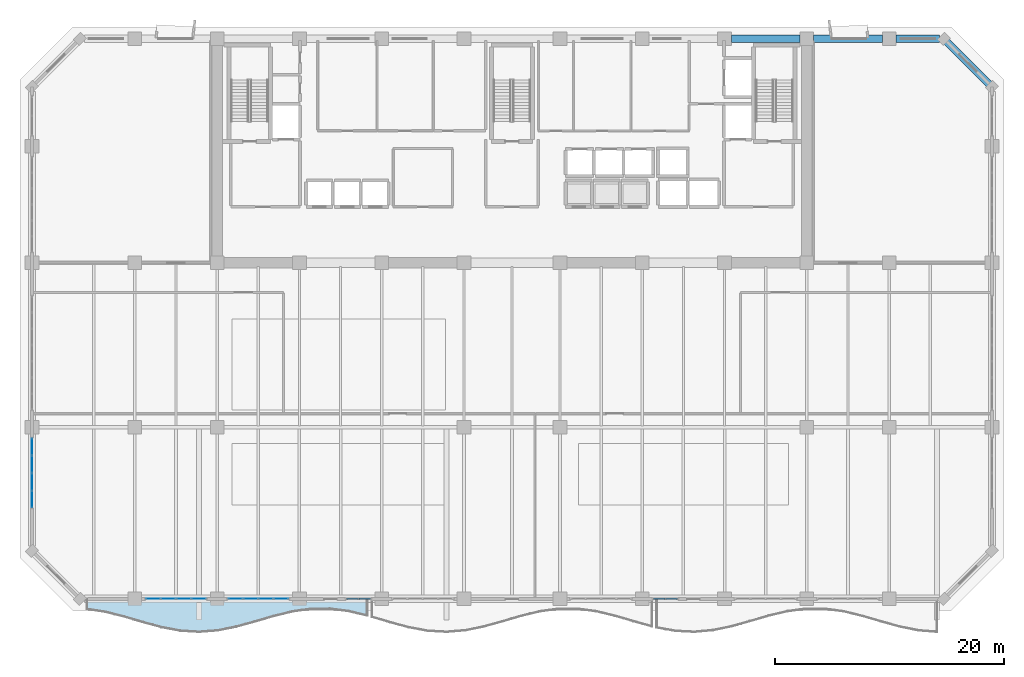
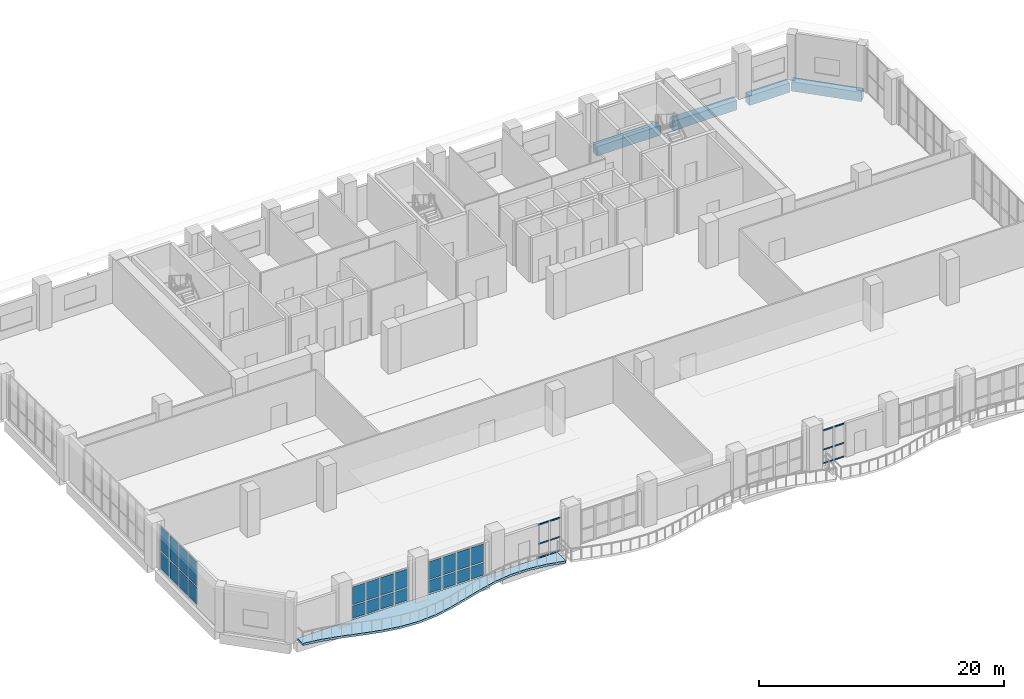
# One storey, part 24 of 37: 24 plates, 12 members, 4 beams, 1 slab, 5 elements without a shape of their own.
"""IFC4 building model written with IfcOpenShell, lengths in metres."""

from ifc_helpers import new_model, si_unit, direction, frame, origin, origin_2d, place, context, subcontext, project, spatial, polyline, rectangle, hollow_rectangle, outline, extrude, material, layer, layer_set, material_profile, profile_set, type_object, element, aggregate, save


model = new_model("IFC4")

# Units and contexts
model_context = context("Model", 3, precision=1e-05, world=origin(), true_north=direction((0.0, 1.0)))
body_context = subcontext(model_context, "Body", "Model", "MODEL_VIEW")
ifc_project = project(units=[si_unit("LENGTHUNIT", "METRE"), si_unit("AREAUNIT", "SQUARE_METRE"), si_unit("VOLUMEUNIT", "CUBIC_METRE"), si_unit("PLANEANGLEUNIT", "RADIAN"), si_unit("MASSUNIT", "GRAM", prefix="KILO")], contexts=[model_context])

# Site, building, storey
site_placement = place(None, origin())
site = spatial("IfcSite", under=ifc_project, at=site_placement, CompositionType="ELEMENT")
building_placement = place(site_placement, origin())
building = spatial("IfcBuilding", under=site, at=building_placement, Name="Kaelvorn Grand Hotel", CompositionType="ELEMENT")
storey_placement = place(building_placement, frame((0.0, 0.0, 130.550048828125)))
storey = spatial("IfcBuildingStorey", under=building, at=storey_placement, Name="L31", CompositionType="ELEMENT", Elevation=130.550048828125)

# Beams
ifc_material_1 = material(Name="Concrete C60/75", Category="concrete")
ifc_material_profile_1 = material_profile(ifc_material_1, rectangle(XDim=0.64990234375, YDim=0.949951171875, at=origin_2d()), Name="RC SPANDREL 650x950")
ifc_profile_set_1 = profile_set([ifc_material_profile_1], Name="Concrete C60/75")
beam_type = type_object("IfcBeamType", Name="BM-SP-650x950-C60", PredefinedType="SPANDREL", material=ifc_profile_set_1)
for number, where, z_axis, x_axis, name in (
    (1, (61.18505859375, 49.0, -0.715087890625), (1.0, 0.0, 0.0), (0.0, 1.0, 0.0), "L31 North Perimeter Spandrel 09"),
    (2, (68.385009765625, 49.0, -0.715087890625), (1.0, 0.0, 0.0), (0.0, 1.0, 0.0), "L31 North Perimeter Spandrel 10"),
):
    element("IfcBeam", number, at=place(storey_placement, frame(where, z_axis=z_axis, x_axis=x_axis)), inside=storey, type_object=beam_type, Name=name, PredefinedType="SPANDREL", context=body_context, shape_type="SweptSolid", body=[
        extrude(rectangle(XDim=0.64990234375, YDim=0.949951171875, at=origin_2d()), origin(), (0.0, 0.0, 1.0), 6.030029296875),
    ])
beam_1_placement = place(storey_placement, frame((75.5849609375, 49.0, -0.715087890625), z_axis=(1.0, 0.0, 0.0), x_axis=(0.0, 1.0, 0.0)))
element("IfcBeam", 3, at=beam_1_placement, inside=storey, type_object=beam_type, Name="L31 North Perimeter Spandrel 11", PredefinedType="SPANDREL", context=body_context, shape_type="SweptSolid", body=[
    extrude(rectangle(XDim=0.64990234375, YDim=0.949951171875, at=origin_2d()), origin(), (0.0, 0.0, 1.0), 3.81005859375),
])
beam_2_placement = place(storey_placement, frame((84.0, 44.800048828125, -0.715087890625), z_axis=(-0.707106781187, 0.707106781187, 0.0), x_axis=(-0.707106781187, -0.707106781187, 0.0)))
element("IfcBeam", 4, at=beam_2_placement, inside=storey, type_object=beam_type, Name="L31 Chamfer Spandrel Beam 2", PredefinedType="SPANDREL", context=body_context, shape_type="SweptSolid", body=[
    extrude(rectangle(XDim=0.64990234375, YDim=0.949951171875, at=origin_2d()), origin(), (0.0, 0.0, 1.0), 5.939697265625),
])

# Curtain wall, members
ifc_material_2 = material(Name="Anodised Aluminium", Category="aluminium")
ifc_layer_1 = layer(ifc_material_2, 0.199951171875)
ifc_layer_set_1 = layer_set([ifc_layer_1], Name="Anodised Aluminium")
curtain_wall_type = type_object("IfcCurtainWallType", Name="CW-SYS3", PredefinedType="NOTDEFINED", material=ifc_layer_set_1)
curtain_wall_1_placement = place(storey_placement, origin())
curtain_wall_1 = element("IfcCurtainWall", 5, at=curtain_wall_1_placement, inside=storey, type_object=curtain_wall_type, Name="L31 Unitised Curtain Wall CW3 (CW-L31-SB2-01)", PredefinedType="NOTDEFINED")
ifc_material_profile_2 = material_profile(ifc_material_2, hollow_rectangle(XDim=0.070068359375, YDim=0.135009765625, WallThickness=0.00341796875, InnerFilletRadius=0.00341796875, OuterFilletRadius=0.007080078125, at=origin_2d()), Name="ALU TRAN 70x135")
ifc_profile_set_2 = profile_set([ifc_material_profile_2], Name="Anodised Aluminium")
member_type = type_object("IfcMemberType", Name="CW-SYS3-TRAN", PredefinedType="NOTDEFINED", material=ifc_profile_set_2)
member_1_placement = place(storey_placement, frame((27.558349609375, 0.0, 0.0673828125), z_axis=(1.0, 0.0, 0.0), x_axis=(0.0, 1.0, 0.0)))
member_1 = element("IfcMember", 6, at=member_1_placement, type_object=member_type, Name="CW3 transom 1.1", ObjectType="TRANSOM", PredefinedType="USERDEFINED", context=body_context, shape_type="SweptSolid", body=[
    extrude(hollow_rectangle(XDim=0.070068359375, YDim=0.135009765625, WallThickness=0.00341796875, InnerFilletRadius=0.00341796875, OuterFilletRadius=0.007080078125, at=origin_2d()), origin(), (0.0, 0.0, 1.0), 0.98583984375),
])
member_2_placement = place(storey_placement, frame((27.558349609375, 0.0, 1.427978515625), z_axis=(1.0, 0.0, 0.0), x_axis=(0.0, 1.0, 0.0)))
member_2 = element("IfcMember", 7, at=member_2_placement, type_object=member_type, Name="CW3 transom 1.2", ObjectType="TRANSOM", PredefinedType="USERDEFINED", context=body_context, shape_type="SweptSolid", body=[
    extrude(hollow_rectangle(XDim=0.070068359375, YDim=0.135009765625, WallThickness=0.00341796875, InnerFilletRadius=0.00341796875, OuterFilletRadius=0.007080078125, at=origin_2d()), origin(), (0.0, 0.0, 1.0), 0.98583984375),
])
member_3_placement = place(storey_placement, frame((27.558349609375, 0.0, 3.33251953125), z_axis=(1.0, 0.0, 0.0), x_axis=(0.0, 1.0, 0.0)))
member_3 = element("IfcMember", 8, at=member_3_placement, type_object=member_type, Name="CW3 transom 1.3", ObjectType="TRANSOM", PredefinedType="USERDEFINED", context=body_context, shape_type="SweptSolid", body=[
    extrude(hollow_rectangle(XDim=0.070068359375, YDim=0.135009765625, WallThickness=0.00341796875, InnerFilletRadius=0.00341796875, OuterFilletRadius=0.007080078125, at=origin_2d()), origin(), (0.0, 0.0, 1.0), 0.98583984375),
])
member_4_placement = place(storey_placement, frame((28.619140625, 0.0, 0.0673828125), z_axis=(1.0, 0.0, 0.0), x_axis=(0.0, 1.0, 0.0)))
member_4 = element("IfcMember", 9, at=member_4_placement, type_object=member_type, Name="CW3 transom 2.1", ObjectType="TRANSOM", PredefinedType="USERDEFINED", context=body_context, shape_type="SweptSolid", body=[
    extrude(hollow_rectangle(XDim=0.070068359375, YDim=0.135009765625, WallThickness=0.00341796875, InnerFilletRadius=0.00341796875, OuterFilletRadius=0.007080078125, at=origin_2d()), origin(), (0.0, 0.0, 1.0), 0.98583984375),
])
member_5_placement = place(storey_placement, frame((28.619140625, 0.0, 1.427978515625), z_axis=(1.0, 0.0, 0.0), x_axis=(0.0, 1.0, 0.0)))
member_5 = element("IfcMember", 10, at=member_5_placement, type_object=member_type, Name="CW3 transom 2.2", ObjectType="TRANSOM", PredefinedType="USERDEFINED", context=body_context, shape_type="SweptSolid", body=[
    extrude(hollow_rectangle(XDim=0.070068359375, YDim=0.135009765625, WallThickness=0.00341796875, InnerFilletRadius=0.00341796875, OuterFilletRadius=0.007080078125, at=origin_2d()), origin(), (0.0, 0.0, 1.0), 0.98583984375),
])
member_6_placement = place(storey_placement, frame((28.619140625, 0.0, 3.33251953125), z_axis=(1.0, 0.0, 0.0), x_axis=(0.0, 1.0, 0.0)))
member_6 = element("IfcMember", 11, at=member_6_placement, type_object=member_type, Name="CW3 transom 2.3", ObjectType="TRANSOM", PredefinedType="USERDEFINED", context=body_context, shape_type="SweptSolid", body=[
    extrude(hollow_rectangle(XDim=0.070068359375, YDim=0.135009765625, WallThickness=0.00341796875, InnerFilletRadius=0.00341796875, OuterFilletRadius=0.007080078125, at=origin_2d()), origin(), (0.0, 0.0, 1.0), 0.98583984375),
])
aggregate(curtain_wall_1, [member_1, member_2, member_3, member_4, member_5, member_6])

curtain_wall_2_placement = place(storey_placement, origin())
curtain_wall_2 = element("IfcCurtainWall", 12, at=curtain_wall_2_placement, inside=storey, type_object=curtain_wall_type, Name="L31 Unitised Curtain Wall CW3 (CW-L31-SB3-02)", PredefinedType="NOTDEFINED")
member_7_placement = place(storey_placement, frame((54.39501953125, 0.0, 0.0673828125), z_axis=(1.0, 0.0, 0.0), x_axis=(0.0, 1.0, 0.0)))
member_7 = element("IfcMember", 13, at=member_7_placement, type_object=member_type, Name="CW3 transom 1.1", ObjectType="TRANSOM", PredefinedType="USERDEFINED", context=body_context, shape_type="SweptSolid", body=[
    extrude(hollow_rectangle(XDim=0.070068359375, YDim=0.135009765625, WallThickness=0.00341796875, InnerFilletRadius=0.00341796875, OuterFilletRadius=0.007080078125, at=origin_2d()), origin(), (0.0, 0.0, 1.0), 0.98583984375),
])
member_8_placement = place(storey_placement, frame((54.39501953125, 0.0, 1.427978515625), z_axis=(1.0, 0.0, 0.0), x_axis=(0.0, 1.0, 0.0)))
member_8 = element("IfcMember", 14, at=member_8_placement, type_object=member_type, Name="CW3 transom 1.2", ObjectType="TRANSOM", PredefinedType="USERDEFINED", context=body_context, shape_type="SweptSolid", body=[
    extrude(hollow_rectangle(XDim=0.070068359375, YDim=0.135009765625, WallThickness=0.00341796875, InnerFilletRadius=0.00341796875, OuterFilletRadius=0.007080078125, at=origin_2d()), origin(), (0.0, 0.0, 1.0), 0.98583984375),
])
member_9_placement = place(storey_placement, frame((54.39501953125, 0.0, 3.33251953125), z_axis=(1.0, 0.0, 0.0), x_axis=(0.0, 1.0, 0.0)))
member_9 = element("IfcMember", 15, at=member_9_placement, type_object=member_type, Name="CW3 transom 1.3", ObjectType="TRANSOM", PredefinedType="USERDEFINED", context=body_context, shape_type="SweptSolid", body=[
    extrude(hollow_rectangle(XDim=0.070068359375, YDim=0.135009765625, WallThickness=0.00341796875, InnerFilletRadius=0.00341796875, OuterFilletRadius=0.007080078125, at=origin_2d()), origin(), (0.0, 0.0, 1.0), 0.98583984375),
])
member_10_placement = place(storey_placement, frame((55.455810546875, 0.0, 0.0673828125), z_axis=(1.0, 0.0, 0.0), x_axis=(0.0, 1.0, 0.0)))
member_10 = element("IfcMember", 16, at=member_10_placement, type_object=member_type, Name="CW3 transom 2.1", ObjectType="TRANSOM", PredefinedType="USERDEFINED", context=body_context, shape_type="SweptSolid", body=[
    extrude(hollow_rectangle(XDim=0.070068359375, YDim=0.135009765625, WallThickness=0.00341796875, InnerFilletRadius=0.00341796875, OuterFilletRadius=0.007080078125, at=origin_2d()), origin(), (0.0, 0.0, 1.0), 0.98583984375),
])
member_11_placement = place(storey_placement, frame((55.455810546875, 0.0, 1.427978515625), z_axis=(1.0, 0.0, 0.0), x_axis=(0.0, 1.0, 0.0)))
member_11 = element("IfcMember", 17, at=member_11_placement, type_object=member_type, Name="CW3 transom 2.2", ObjectType="TRANSOM", PredefinedType="USERDEFINED", context=body_context, shape_type="SweptSolid", body=[
    extrude(hollow_rectangle(XDim=0.070068359375, YDim=0.135009765625, WallThickness=0.00341796875, InnerFilletRadius=0.00341796875, OuterFilletRadius=0.007080078125, at=origin_2d()), origin(), (0.0, 0.0, 1.0), 0.98583984375),
])
member_12_placement = place(storey_placement, frame((55.455810546875, 0.0, 3.33251953125), z_axis=(1.0, 0.0, 0.0), x_axis=(0.0, 1.0, 0.0)))
member_12 = element("IfcMember", 18, at=member_12_placement, type_object=member_type, Name="CW3 transom 2.3", ObjectType="TRANSOM", PredefinedType="USERDEFINED", context=body_context, shape_type="SweptSolid", body=[
    extrude(hollow_rectangle(XDim=0.070068359375, YDim=0.135009765625, WallThickness=0.00341796875, InnerFilletRadius=0.00341796875, OuterFilletRadius=0.007080078125, at=origin_2d()), origin(), (0.0, 0.0, 1.0), 0.98583984375),
])
aggregate(curtain_wall_2, [member_7, member_8, member_9, member_10, member_11, member_12])

# Curtain wall, plates
curtain_wall_3_placement = place(storey_placement, origin())
curtain_wall_3 = element("IfcCurtainWall", 19, at=curtain_wall_3_placement, inside=storey, type_object=curtain_wall_type, Name="L31 Unitised Curtain Wall CW3 (CW-L31-SB1-01)", PredefinedType="NOTDEFINED")
ifc_material_3 = material(Name="Laminated Low-E Glass", Category="glass")
ifc_layer_2 = layer(ifc_material_3, 0.030029296875)
ifc_layer_set_2 = layer_set([ifc_layer_2], Name="Laminated Low-E Glass")
plate_type = type_object("IfcPlateType", Name="CW-SYS3-PAN", PredefinedType="CURTAIN_PANEL", material=ifc_layer_set_2)
plate_1_placement = place(storey_placement, frame((10.608642578125, 0.0, 0.135009765625), z_axis=(0.0, 0.0, 1.0), x_axis=(1.0, 0.0, 0.0)))
plate_1 = element("IfcPlate", 20, at=plate_1_placement, type_object=plate_type, Name="CW3 panel 1.1", PredefinedType="CURTAIN_PANEL", context=body_context, shape_type="SweptSolid", body=[
    extrude(rectangle(XDim=1.2275390625, YDim=0.030029296875, at=origin_2d()), origin(), (0.0, 0.0, 1.0), 1.2255859375),
])
plate_2_placement = place(storey_placement, frame((10.608642578125, 0.0, 1.495361328125), z_axis=(0.0, 0.0, 1.0), x_axis=(1.0, 0.0, 0.0)))
plate_2 = element("IfcPlate", 21, at=plate_2_placement, type_object=plate_type, Name="CW3 panel 1.2", PredefinedType="CURTAIN_PANEL", context=body_context, shape_type="SweptSolid", body=[
    extrude(rectangle(XDim=1.2275390625, YDim=0.030029296875, at=origin_2d()), origin(), (0.0, 0.0, 1.0), 1.76953125),
])
plate_3_placement = place(storey_placement, frame((11.929931640625, 0.0, 0.135009765625), z_axis=(0.0, 0.0, 1.0), x_axis=(1.0, 0.0, 0.0)))
plate_3 = element("IfcPlate", 22, at=plate_3_placement, type_object=plate_type, Name="CW3 panel 2.1", PredefinedType="CURTAIN_PANEL", context=body_context, shape_type="SweptSolid", body=[
    extrude(rectangle(XDim=1.264892578125, YDim=0.030029296875, at=origin_2d()), origin(), (0.0, 0.0, 1.0), 1.2255859375),
])
plate_4_placement = place(storey_placement, frame((11.929931640625, 0.0, 1.495361328125), z_axis=(0.0, 0.0, 1.0), x_axis=(1.0, 0.0, 0.0)))
plate_4 = element("IfcPlate", 23, at=plate_4_placement, type_object=plate_type, Name="CW3 panel 2.2", PredefinedType="CURTAIN_PANEL", context=body_context, shape_type="SweptSolid", body=[
    extrude(rectangle(XDim=1.264892578125, YDim=0.030029296875, at=origin_2d()), origin(), (0.0, 0.0, 1.0), 1.76953125),
])
plate_5_placement = place(storey_placement, frame((13.27001953125, 0.0, 0.135009765625), z_axis=(0.0, 0.0, 1.0), x_axis=(1.0, 0.0, 0.0)))
plate_5 = element("IfcPlate", 24, at=plate_5_placement, type_object=plate_type, Name="CW3 panel 3.1", PredefinedType="CURTAIN_PANEL", context=body_context, shape_type="SweptSolid", body=[
    extrude(rectangle(XDim=1.264892578125, YDim=0.030029296875, at=origin_2d()), origin(), (0.0, 0.0, 1.0), 1.2255859375),
])
plate_6_placement = place(storey_placement, frame((13.27001953125, 0.0, 1.495361328125), z_axis=(0.0, 0.0, 1.0), x_axis=(1.0, 0.0, 0.0)))
plate_6 = element("IfcPlate", 25, at=plate_6_placement, type_object=plate_type, Name="CW3 panel 3.2", PredefinedType="CURTAIN_PANEL", context=body_context, shape_type="SweptSolid", body=[
    extrude(rectangle(XDim=1.264892578125, YDim=0.030029296875, at=origin_2d()), origin(), (0.0, 0.0, 1.0), 1.76953125),
])
plate_7_placement = place(storey_placement, frame((14.59130859375, 0.0, 0.135009765625), z_axis=(0.0, 0.0, 1.0), x_axis=(1.0, 0.0, 0.0)))
plate_7 = element("IfcPlate", 26, at=plate_7_placement, type_object=plate_type, Name="CW3 panel 4.1", PredefinedType="CURTAIN_PANEL", context=body_context, shape_type="SweptSolid", body=[
    extrude(rectangle(XDim=1.2275390625, YDim=0.030029296875, at=origin_2d()), origin(), (0.0, 0.0, 1.0), 1.2255859375),
])
plate_8_placement = place(storey_placement, frame((14.59130859375, 0.0, 1.495361328125), z_axis=(0.0, 0.0, 1.0), x_axis=(1.0, 0.0, 0.0)))
plate_8 = element("IfcPlate", 27, at=plate_8_placement, type_object=plate_type, Name="CW3 panel 4.2", PredefinedType="CURTAIN_PANEL", context=body_context, shape_type="SweptSolid", body=[
    extrude(rectangle(XDim=1.2275390625, YDim=0.030029296875, at=origin_2d()), origin(), (0.0, 0.0, 1.0), 1.76953125),
])
aggregate(curtain_wall_3, [plate_1, plate_2, plate_3, plate_4, plate_5, plate_6, plate_7, plate_8])

curtain_wall_4_placement = place(storey_placement, origin())
curtain_wall_4 = element("IfcCurtainWall", 28, at=curtain_wall_4_placement, inside=storey, type_object=curtain_wall_type, Name="L31 Unitised Curtain Wall CW3 (CW-L31-SB1-02)", PredefinedType="NOTDEFINED")
plate_9_placement = place(storey_placement, frame((17.808837890625, 0.0, 0.135009765625), z_axis=(0.0, 0.0, 1.0), x_axis=(1.0, 0.0, 0.0)))
plate_9 = element("IfcPlate", 29, at=plate_9_placement, type_object=plate_type, Name="CW3 panel 1.1", PredefinedType="CURTAIN_PANEL", context=body_context, shape_type="SweptSolid", body=[
    extrude(rectangle(XDim=1.2275390625, YDim=0.030029296875, at=origin_2d()), origin(), (0.0, 0.0, 1.0), 1.2255859375),
])
plate_10_placement = place(storey_placement, frame((17.808837890625, 0.0, 1.495361328125), z_axis=(0.0, 0.0, 1.0), x_axis=(1.0, 0.0, 0.0)))
plate_10 = element("IfcPlate", 30, at=plate_10_placement, type_object=plate_type, Name="CW3 panel 1.2", PredefinedType="CURTAIN_PANEL", context=body_context, shape_type="SweptSolid", body=[
    extrude(rectangle(XDim=1.2275390625, YDim=0.030029296875, at=origin_2d()), origin(), (0.0, 0.0, 1.0), 1.76953125),
])
plate_11_placement = place(storey_placement, frame((19.1298828125, 0.0, 0.135009765625), z_axis=(0.0, 0.0, 1.0), x_axis=(1.0, 0.0, 0.0)))
plate_11 = element("IfcPlate", 31, at=plate_11_placement, type_object=plate_type, Name="CW3 panel 2.1", PredefinedType="CURTAIN_PANEL", context=body_context, shape_type="SweptSolid", body=[
    extrude(rectangle(XDim=1.264892578125, YDim=0.030029296875, at=origin_2d()), origin(), (0.0, 0.0, 1.0), 1.2255859375),
])
plate_12_placement = place(storey_placement, frame((19.1298828125, 0.0, 1.495361328125), z_axis=(0.0, 0.0, 1.0), x_axis=(1.0, 0.0, 0.0)))
plate_12 = element("IfcPlate", 32, at=plate_12_placement, type_object=plate_type, Name="CW3 panel 2.2", PredefinedType="CURTAIN_PANEL", context=body_context, shape_type="SweptSolid", body=[
    extrude(rectangle(XDim=1.264892578125, YDim=0.030029296875, at=origin_2d()), origin(), (0.0, 0.0, 1.0), 1.76953125),
])
plate_13_placement = place(storey_placement, frame((20.469970703125, 0.0, 0.135009765625), z_axis=(0.0, 0.0, 1.0), x_axis=(1.0, 0.0, 0.0)))
plate_13 = element("IfcPlate", 33, at=plate_13_placement, type_object=plate_type, Name="CW3 panel 3.1", PredefinedType="CURTAIN_PANEL", context=body_context, shape_type="SweptSolid", body=[
    extrude(rectangle(XDim=1.264892578125, YDim=0.030029296875, at=origin_2d()), origin(), (0.0, 0.0, 1.0), 1.2255859375),
])
plate_14_placement = place(storey_placement, frame((20.469970703125, 0.0, 1.495361328125), z_axis=(0.0, 0.0, 1.0), x_axis=(1.0, 0.0, 0.0)))
plate_14 = element("IfcPlate", 34, at=plate_14_placement, type_object=plate_type, Name="CW3 panel 3.2", PredefinedType="CURTAIN_PANEL", context=body_context, shape_type="SweptSolid", body=[
    extrude(rectangle(XDim=1.264892578125, YDim=0.030029296875, at=origin_2d()), origin(), (0.0, 0.0, 1.0), 1.76953125),
])
plate_15_placement = place(storey_placement, frame((21.791259765625, 0.0, 0.135009765625), z_axis=(0.0, 0.0, 1.0), x_axis=(1.0, 0.0, 0.0)))
plate_15 = element("IfcPlate", 35, at=plate_15_placement, type_object=plate_type, Name="CW3 panel 4.1", PredefinedType="CURTAIN_PANEL", context=body_context, shape_type="SweptSolid", body=[
    extrude(rectangle(XDim=1.2275390625, YDim=0.030029296875, at=origin_2d()), origin(), (0.0, 0.0, 1.0), 1.2255859375),
])
plate_16_placement = place(storey_placement, frame((21.791259765625, 0.0, 1.495361328125), z_axis=(0.0, 0.0, 1.0), x_axis=(1.0, 0.0, 0.0)))
plate_16 = element("IfcPlate", 36, at=plate_16_placement, type_object=plate_type, Name="CW3 panel 4.2", PredefinedType="CURTAIN_PANEL", context=body_context, shape_type="SweptSolid", body=[
    extrude(rectangle(XDim=1.2275390625, YDim=0.030029296875, at=origin_2d()), origin(), (0.0, 0.0, 1.0), 1.76953125),
])
aggregate(curtain_wall_4, [plate_9, plate_10, plate_11, plate_12, plate_13, plate_14, plate_15, plate_16])

curtain_wall_5_placement = place(storey_placement, origin())
curtain_wall_5 = element("IfcCurtainWall", 37, at=curtain_wall_5_placement, inside=storey, type_object=curtain_wall_type, Name="L31 Unitised Curtain Wall CW3 (CW-L31-W-01)", PredefinedType="NOTDEFINED")
plate_17_placement = place(storey_placement, frame((0.0, 13.291259765625, 0.135009765625), z_axis=(0.0, 0.0, 1.0), x_axis=(0.0, -1.0, 0.0)))
plate_17 = element("IfcPlate", 38, at=plate_17_placement, type_object=plate_type, Name="CW3 panel 1.1", PredefinedType="CURTAIN_PANEL", context=body_context, shape_type="SweptSolid", body=[
    extrude(rectangle(XDim=1.427490234375, YDim=0.030029296875, at=origin_2d()), origin(), (0.0, 0.0, 1.0), 1.69580078125),
])
plate_18_placement = place(storey_placement, frame((0.0, 13.291259765625, 1.9658203125), z_axis=(0.0, 0.0, 1.0), x_axis=(0.0, -1.0, 0.0)))
plate_18 = element("IfcPlate", 39, at=plate_18_placement, type_object=plate_type, Name="CW3 panel 1.2", PredefinedType="CURTAIN_PANEL", context=body_context, shape_type="SweptSolid", body=[
    extrude(rectangle(XDim=1.427490234375, YDim=0.030029296875, at=origin_2d()), origin(), (0.0, 0.0, 1.0), 2.419189453125),
])
plate_19_placement = place(storey_placement, frame((0.0, 11.77001953125, 0.135009765625), z_axis=(0.0, 0.0, 1.0), x_axis=(0.0, -1.0, 0.0)))
plate_19 = element("IfcPlate", 40, at=plate_19_placement, type_object=plate_type, Name="CW3 panel 2.1", PredefinedType="CURTAIN_PANEL", context=body_context, shape_type="SweptSolid", body=[
    extrude(rectangle(XDim=1.465087890625, YDim=0.030029296875, at=origin_2d()), origin(), (0.0, 0.0, 1.0), 1.69580078125),
])
plate_20_placement = place(storey_placement, frame((0.0, 11.77001953125, 1.9658203125), z_axis=(0.0, 0.0, 1.0), x_axis=(0.0, -1.0, 0.0)))
plate_20 = element("IfcPlate", 41, at=plate_20_placement, type_object=plate_type, Name="CW3 panel 2.2", PredefinedType="CURTAIN_PANEL", context=body_context, shape_type="SweptSolid", body=[
    extrude(rectangle(XDim=1.465087890625, YDim=0.030029296875, at=origin_2d()), origin(), (0.0, 0.0, 1.0), 2.419189453125),
])
plate_21_placement = place(storey_placement, frame((0.0, 10.22998046875, 0.135009765625), z_axis=(0.0, 0.0, 1.0), x_axis=(0.0, -1.0, 0.0)))
plate_21 = element("IfcPlate", 42, at=plate_21_placement, type_object=plate_type, Name="CW3 panel 3.1", PredefinedType="CURTAIN_PANEL", context=body_context, shape_type="SweptSolid", body=[
    extrude(rectangle(XDim=1.465087890625, YDim=0.030029296875, at=origin_2d()), origin(), (0.0, 0.0, 1.0), 1.69580078125),
])
plate_22_placement = place(storey_placement, frame((0.0, 10.22998046875, 1.9658203125), z_axis=(0.0, 0.0, 1.0), x_axis=(0.0, -1.0, 0.0)))
plate_22 = element("IfcPlate", 43, at=plate_22_placement, type_object=plate_type, Name="CW3 panel 3.2", PredefinedType="CURTAIN_PANEL", context=body_context, shape_type="SweptSolid", body=[
    extrude(rectangle(XDim=1.465087890625, YDim=0.030029296875, at=origin_2d()), origin(), (0.0, 0.0, 1.0), 2.419189453125),
])
plate_23_placement = place(storey_placement, frame((0.0, 8.708740234375, 0.135009765625), z_axis=(0.0, 0.0, 1.0), x_axis=(0.0, -1.0, 0.0)))
plate_23 = element("IfcPlate", 44, at=plate_23_placement, type_object=plate_type, Name="CW3 panel 4.1", PredefinedType="CURTAIN_PANEL", context=body_context, shape_type="SweptSolid", body=[
    extrude(rectangle(XDim=1.427490234375, YDim=0.030029296875, at=origin_2d()), origin(), (0.0, 0.0, 1.0), 1.69580078125),
])
plate_24_placement = place(storey_placement, frame((0.0, 8.708740234375, 1.9658203125), z_axis=(0.0, 0.0, 1.0), x_axis=(0.0, -1.0, 0.0)))
plate_24 = element("IfcPlate", 45, at=plate_24_placement, type_object=plate_type, Name="CW3 panel 4.2", PredefinedType="CURTAIN_PANEL", context=body_context, shape_type="SweptSolid", body=[
    extrude(rectangle(XDim=1.427490234375, YDim=0.030029296875, at=origin_2d()), origin(), (0.0, 0.0, 1.0), 2.419189453125),
])
aggregate(curtain_wall_5, [plate_17, plate_18, plate_19, plate_20, plate_21, plate_22, plate_23, plate_24])

# Slab
ifc_material_4 = material(Name="Concrete C40/50", Category="concrete")
ifc_layer_3 = layer(ifc_material_4, 0.219970703125)
ifc_layer_set_3 = layer_set([ifc_layer_3], Name="Concrete C40/50")
slab_type = type_object("IfcSlabType", Name="SLB-BALC-220-C40", PredefinedType="FLOOR", material=ifc_layer_set_3)
slab_placement = place(storey_placement, frame((0.0, 0.0, -0.219970703125)))
element("IfcSlab", 46, at=slab_placement, inside=storey, type_object=slab_type, Name="L31 Scalloped Wave Balcony Slab 1", PredefinedType="FLOOR", context=body_context, shape_type="SweptSolid", body=[
    extrude(outline(polyline([(4.800048828125, -0.900146484375), (6.435546875, -1.153564453125), (8.071044921875, -1.567138671875), (9.706787109375, -2.049072265625), (11.34228515625, -2.492431640625), (12.977783203125, -2.798583984375), (14.61328125, -2.899658203125), (16.248779296875, -2.773193359375), (17.884521484375, -2.447021484375), (19.52001953125, -1.993896484375), (21.155517578125, -1.514404296875), (22.791015625, -1.114990234375), (24.4267578125, -0.884521484375), (26.062255859375, -0.873779296875), (27.69775390625, -1.08544921875), (29.333251953125, -1.47265625), (29.333251953125, 0.0), (4.800048828125, 0.0), (4.800048828125, -0.900146484375)])), origin(), (0.0, 0.0, 1.0), 0.219970703125),
])

save(model, "model.ifc")
